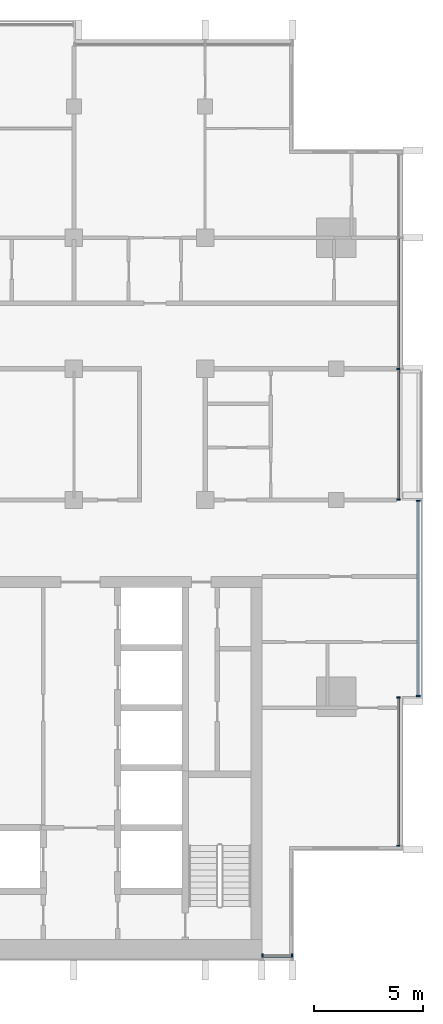
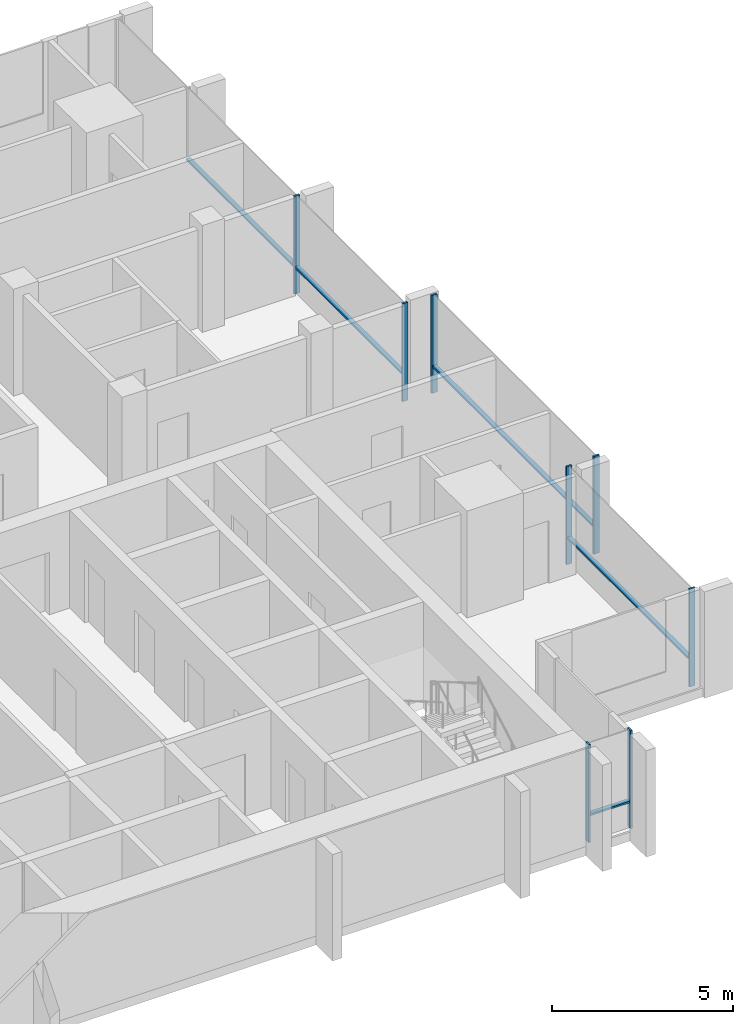
# One storey, part 3 of 16: 13 members, 4 elements without a shape of their own.
"""IFC4 building model written with IfcOpenShell, lengths in metres."""

from ifc_helpers import new_model, si_unit, direction, frame, origin, origin_2d, place, context, subcontext, project, spatial, rectangle, extrude, material, material_profile, profile_set, type_object, element, aggregate, save


model = new_model("IFC4")

# Units and contexts
model_context = context("Model", 3, precision=1e-05, world=origin(), true_north=direction((0.0, 1.0)))
body_context = subcontext(model_context, "Body", "Model", "MODEL_VIEW")
ifc_project = project(units=[si_unit("LENGTHUNIT", "METRE"), si_unit("AREAUNIT", "SQUARE_METRE"), si_unit("VOLUMEUNIT", "CUBIC_METRE"), si_unit("PLANEANGLEUNIT", "RADIAN"), si_unit("MASSUNIT", "GRAM", prefix="KILO")], contexts=[model_context])

# Site, building, storey
site_placement = place(None, origin())
site = spatial("IfcSite", under=ifc_project, at=site_placement, CompositionType="ELEMENT")
building_placement = place(site_placement, origin())
building = spatial("IfcBuilding", under=site, at=building_placement, Name="Finial Court Residences", CompositionType="ELEMENT")
storey_placement = place(building_placement, frame((0.0, 0.0, 277.10009765625)))
storey = spatial("IfcBuildingStorey", under=building, at=storey_placement, Name="L70", CompositionType="ELEMENT", Elevation=277.10009765625)

# Curtain wall, members
ifc_material = material(Name="Bronze anodised aluminium", Category="aluminium")
curtain_wall_type = type_object("IfcCurtainWallType", Name="Unitised curtain wall, upper zones", PredefinedType="NOTDEFINED", material=ifc_material)
curtain_wall_1_placement = place(storey_placement, origin())
curtain_wall_1 = element("IfcCurtainWall", 1, at=curtain_wall_1_placement, inside=storey, type_object=curtain_wall_type, Name="E-L70-CW-E4", PredefinedType="NOTDEFINED")
ifc_material_profile_1 = material_profile(ifc_material, rectangle(XDim=0.175048828125, YDim=0.06005859375, at=origin_2d()), Name="CW2 mullion 60 x 175")
ifc_profile_set_1 = profile_set([ifc_material_profile_1], Name="Bronze anodised aluminium")
member_type_1 = type_object("IfcMemberType", Name="CW2 mullion 60 x 175", PredefinedType="MULLION", material=ifc_profile_set_1)
member_1_placement = place(storey_placement, frame((19.35009765625, -20.320068359375, 0.0), z_axis=(0.0, 0.0, 1.0), x_axis=(-1.0, 0.0, 0.0)))
member_1 = element("IfcMember", 2, at=member_1_placement, type_object=member_type_1, Name="CW2 mullion 1", PredefinedType="MULLION", context=body_context, shape_type="SweptSolid", body=[
    extrude(rectangle(XDim=0.175048828125, YDim=0.06005859375, at=origin_2d()), origin(), (0.0, 0.0, 1.0), 3.2998046875),
])
member_2_placement = place(storey_placement, frame((19.35009765625, -13.530029296875, 0.0), z_axis=(0.0, 0.0, 1.0), x_axis=(-1.0, 0.0, 0.0)))
member_2 = element("IfcMember", 3, at=member_2_placement, type_object=member_type_1, Name="CW2 mullion 2", PredefinedType="MULLION", context=body_context, shape_type="SweptSolid", body=[
    extrude(rectangle(XDim=0.175048828125, YDim=0.06005859375, at=origin_2d()), origin(), (0.0, 0.0, 1.0), 3.2998046875),
])

curtain_wall_2_placement = place(storey_placement, origin())
curtain_wall_2 = element("IfcCurtainWall", 4, at=curtain_wall_2_placement, inside=storey, type_object=curtain_wall_type, Name="E-L70-CW-E5", PredefinedType="NOTDEFINED")
member_3_placement = place(storey_placement, frame((20.25, -13.469970703125, 0.0), z_axis=(0.0, 0.0, 1.0), x_axis=(-1.0, 0.0, 0.0)))
member_3 = element("IfcMember", 5, at=member_3_placement, type_object=member_type_1, Name="CW2 mullion 1", PredefinedType="MULLION", context=body_context, shape_type="SweptSolid", body=[
    extrude(rectangle(XDim=0.175048828125, YDim=0.06005859375, at=origin_2d()), origin(), (0.0, 0.0, 1.0), 3.2998046875),
])
member_4_placement = place(storey_placement, frame((20.25, -4.530029296875, 0.0), z_axis=(0.0, 0.0, 1.0), x_axis=(-1.0, 0.0, 0.0)))
member_4 = element("IfcMember", 6, at=member_4_placement, type_object=member_type_1, Name="CW2 mullion 2", PredefinedType="MULLION", context=body_context, shape_type="SweptSolid", body=[
    extrude(rectangle(XDim=0.175048828125, YDim=0.06005859375, at=origin_2d()), origin(), (0.0, 0.0, 1.0), 3.2998046875),
])

curtain_wall_3_placement = place(storey_placement, origin())
curtain_wall_3 = element("IfcCurtainWall", 7, at=curtain_wall_3_placement, inside=storey, type_object=curtain_wall_type, Name="E-L70-CW-E6", PredefinedType="NOTDEFINED")
member_5_placement = place(storey_placement, frame((19.35009765625, -4.469970703125, 0.0), z_axis=(0.0, 0.0, 1.0), x_axis=(-1.0, 0.0, 0.0)))
member_5 = element("IfcMember", 8, at=member_5_placement, type_object=member_type_1, Name="CW2 mullion 1", PredefinedType="MULLION", context=body_context, shape_type="SweptSolid", body=[
    extrude(rectangle(XDim=0.175048828125, YDim=0.06005859375, at=origin_2d()), origin(), (0.0, 0.0, 1.0), 3.2998046875),
])
member_6_placement = place(storey_placement, frame((19.35009765625, 1.5, 0.0), z_axis=(0.0, 0.0, 1.0), x_axis=(-1.0, 0.0, 0.0)))
member_6 = element("IfcMember", 9, at=member_6_placement, type_object=member_type_1, Name="CW2 mullion 2", PredefinedType="MULLION", context=body_context, shape_type="SweptSolid", body=[
    extrude(rectangle(XDim=0.175048828125, YDim=0.06005859375, at=origin_2d()), origin(), (0.0, 0.0, 1.0), 3.2998046875),
])

curtain_wall_4_placement = place(storey_placement, origin())
curtain_wall_4 = element("IfcCurtainWall", 10, at=curtain_wall_4_placement, inside=storey, type_object=curtain_wall_type, Name="E-L70-CW-S8", PredefinedType="NOTDEFINED")
member_7_placement = place(storey_placement, frame((13.1298828125, -25.35009765625, 0.0), z_axis=(0.0, 0.0, 1.0), x_axis=(0.0, 1.0, 0.0)))
member_7 = element("IfcMember", 11, at=member_7_placement, type_object=member_type_1, Name="CW2 mullion 1", PredefinedType="MULLION", context=body_context, shape_type="SweptSolid", body=[
    extrude(rectangle(XDim=0.175048828125, YDim=0.06005859375, at=origin_2d()), origin(), (0.0, 0.0, 1.0), 3.2998046875),
])
member_8_placement = place(storey_placement, frame((14.469970703125, -25.35009765625, 0.0), z_axis=(0.0, 0.0, 1.0), x_axis=(0.0, 1.0, 0.0)))
member_8 = element("IfcMember", 12, at=member_8_placement, type_object=member_type_1, Name="CW2 mullion 2", PredefinedType="MULLION", context=body_context, shape_type="SweptSolid", body=[
    extrude(rectangle(XDim=0.175048828125, YDim=0.06005859375, at=origin_2d()), origin(), (0.0, 0.0, 1.0), 3.2998046875),
])

# Member
ifc_material_profile_2 = material_profile(ifc_material, rectangle(XDim=0.139892578125, YDim=0.06005859375, at=origin_2d()), Name="CW2 transom 60 x 140")
ifc_profile_set_2 = profile_set([ifc_material_profile_2], Name="Bronze anodised aluminium")
member_type_2 = type_object("IfcMemberType", Name="CW2 transom 60 x 140", PredefinedType="USERDEFINED", material=ifc_profile_set_2)
member_9_placement = place(storey_placement, frame((19.35009765625, -20.2900390625, 0.89990234375), z_axis=(0.0, 1.0, 0.0), x_axis=(-1.0, 0.0, 0.0)))
member_9 = element("IfcMember", 13, at=member_9_placement, type_object=member_type_2, Name="CW2 transom 1.1", ObjectType="TRANSOM", PredefinedType="USERDEFINED", context=body_context, shape_type="SweptSolid", body=[
    extrude(rectangle(XDim=0.139892578125, YDim=0.06005859375, at=origin_2d()), origin(), (0.0, 0.0, 1.0), 6.72998046875),
])

aggregate(curtain_wall_1, [member_1, member_2, member_9])

member_10_placement = place(storey_placement, frame((20.25, -13.43994140625, 0.89990234375), z_axis=(0.0, 1.0, 0.0), x_axis=(-1.0, 0.0, 0.0)))
member_10 = element("IfcMember", 14, at=member_10_placement, type_object=member_type_2, Name="CW2 transom 1.1", ObjectType="TRANSOM", PredefinedType="USERDEFINED", context=body_context, shape_type="SweptSolid", body=[
    extrude(rectangle(XDim=0.139892578125, YDim=0.06005859375, at=origin_2d()), origin(), (0.0, 0.0, 1.0), 8.8798828125),
])

aggregate(curtain_wall_2, [member_3, member_4, member_10])

member_11_placement = place(storey_placement, frame((19.35009765625, -4.43994140625, 0.89990234375), z_axis=(0.0, 1.0, 0.0), x_axis=(-1.0, 0.0, 0.0)))
member_11 = element("IfcMember", 15, at=member_11_placement, type_object=member_type_2, Name="CW2 transom 1.1", ObjectType="TRANSOM", PredefinedType="USERDEFINED", context=body_context, shape_type="SweptSolid", body=[
    extrude(rectangle(XDim=0.139892578125, YDim=0.06005859375, at=origin_2d()), origin(), (0.0, 0.0, 1.0), 5.909912109375),
])

member_12_placement = place(storey_placement, frame((19.35009765625, 1.530029296875, 0.89990234375), z_axis=(0.0, 1.0, 0.0), x_axis=(-1.0, 0.0, 0.0)))
member_12 = element("IfcMember", 16, at=member_12_placement, type_object=member_type_2, Name="CW2 transom 2.1", ObjectType="TRANSOM", PredefinedType="USERDEFINED", context=body_context, shape_type="SweptSolid", body=[
    extrude(rectangle(XDim=0.139892578125, YDim=0.06005859375, at=origin_2d()), origin(), (0.0, 0.0, 1.0), 5.93994140625),
])

aggregate(curtain_wall_3, [member_5, member_6, member_11, member_12])

member_13_placement = place(storey_placement, frame((13.159912109375, -25.35009765625, 0.89990234375), z_axis=(1.0, 0.0, 0.0), x_axis=(0.0, 1.0, 0.0)))
member_13 = element("IfcMember", 17, at=member_13_placement, type_object=member_type_2, Name="CW2 transom 1.1", ObjectType="TRANSOM", PredefinedType="USERDEFINED", context=body_context, shape_type="SweptSolid", body=[
    extrude(rectangle(XDim=0.139892578125, YDim=0.06005859375, at=origin_2d()), origin(), (0.0, 0.0, 1.0), 1.280029296875),
])

aggregate(curtain_wall_4, [member_7, member_8, member_13])

save(model, "model.ifc")
